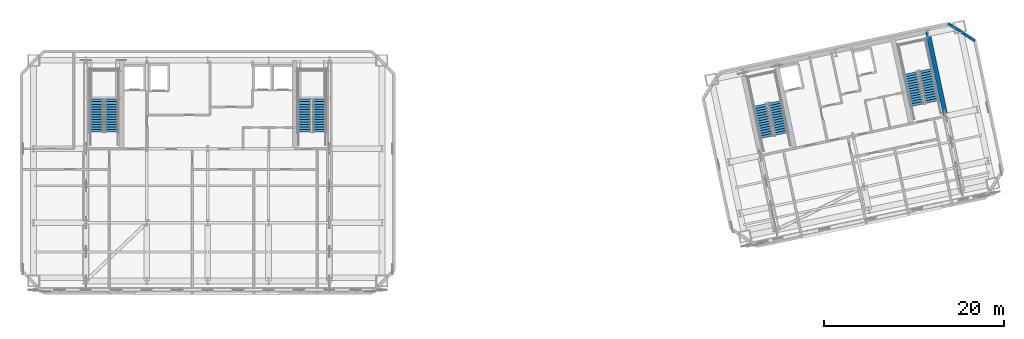
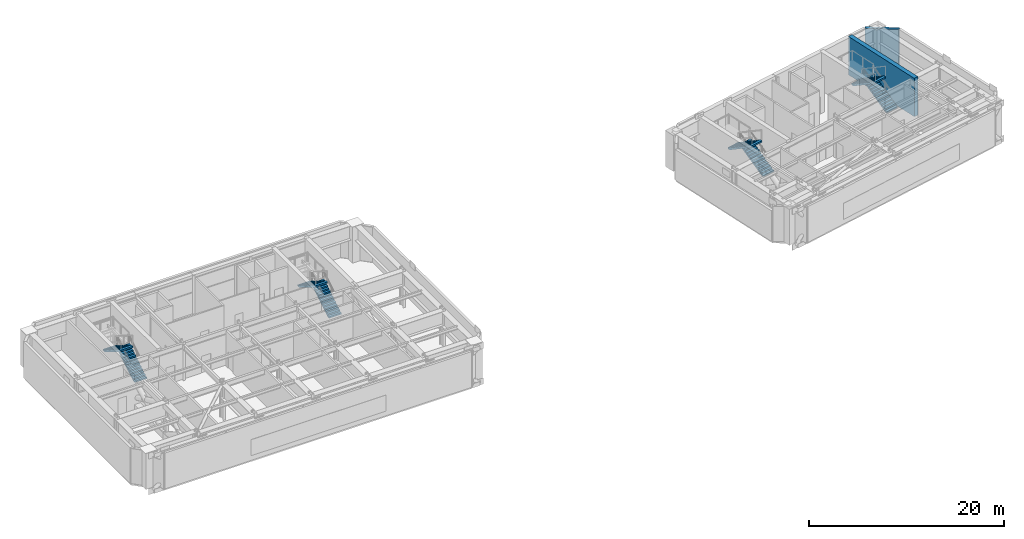
# One storey, part 11 of 15: 8 stair flights, 2 walls, 4 elements without a shape of their own.
"""IFC4 building model written with IfcOpenShell, lengths in metres."""

from ifc_helpers import new_model, si_unit, direction, frame, frame_2d, origin, place, context, subcontext, project, spatial, polyline, rectangle, outline, extrude, material, layer, layer_set, type_object, element, aggregate, save


model = new_model("IFC4")

# Units and contexts
model_context = context("Model", 3, precision=1e-05, world=origin(), true_north=direction((0.0, 1.0)))
body_context = subcontext(model_context, "Body", "Model", "MODEL_VIEW")
ifc_project = project(units=[si_unit("LENGTHUNIT", "METRE"), si_unit("AREAUNIT", "SQUARE_METRE"), si_unit("VOLUMEUNIT", "CUBIC_METRE"), si_unit("PLANEANGLEUNIT", "RADIAN"), si_unit("MASSUNIT", "GRAM", prefix="KILO")], contexts=[model_context])

# Site, building, storey
site_placement = place(None, origin())
site = spatial("IfcSite", under=ifc_project, at=site_placement, CompositionType="ELEMENT")
building_placement = place(site_placement, origin())
building = spatial("IfcBuilding", under=site, at=building_placement, Name="Haevon Station Towers", CompositionType="ELEMENT")
storey_placement = place(building_placement, frame((0.0, 0.0, 192.300048828125)))
storey = spatial("IfcBuildingStorey", under=building, at=storey_placement, Name="L53", CompositionType="ELEMENT", Elevation=192.300048828125)

# Walls
ifc_material_1 = material(Name="Concrete C60/75", Category="concrete")
ifc_layer_1 = layer(ifc_material_1, 0.5)
ifc_layer_set_1 = layer_set([ifc_layer_1], Name="Concrete C60/75")
wall_type_1 = type_object("IfcWallType", Name="WL-CR500", PredefinedType="SHEAR", material=ifc_layer_set_1)
wall_1_placement = place(storey_placement, frame((119.401611328125, 41.2998046875, 0.0), z_axis=(0.0, 0.0, 1.0), x_axis=(-0.207904342798, 0.978149162575, 0.0)))
element("IfcWall", 1, at=wall_1_placement, inside=storey, type_object=wall_type_1, Name="WL-T2CR-L53-E", PredefinedType="SHEAR", context=body_context, shape_type="SweptSolid", body=[
    extrude(rectangle(XDim=10.1201171875, YDim=0.5, at=frame_2d((5.06005859375, 0.0))), origin(), (0.0, 0.0, 1.0), 4.800048828125),
])
ifc_material_2 = material(Name="Precast concrete C45/55", Category="concrete")
ifc_layer_2 = layer(ifc_material_2, 0.300048828125)
ifc_layer_set_2 = layer_set([ifc_layer_2], Name="Precast concrete C45/55")
wall_type_2 = type_object("IfcWallType", Name="WL-EXT-PIER300", PredefinedType="SOLIDWALL", material=ifc_layer_set_2)
wall_2_placement = place(storey_placement, frame((119.561767578125, 52.089111328125, 0.0), z_axis=(0.0, 0.0, 1.0), x_axis=(0.838661251934, -0.544653380146, 0.0)))
element("IfcWall", 2, at=wall_2_placement, inside=storey, type_object=wall_type_2, Name="WL-T2-L53-NEC", PredefinedType="SOLIDWALL", context=body_context, shape_type="SweptSolid", body=[
    extrude(rectangle(XDim=3.535888671875, YDim=0.300048828125, at=frame_2d((1.76806640625, 0.0))), origin(), (0.0, 0.0, 1.0), 4.47998046875),
])

# Stair, stair flights
ifc_material_3 = material(Name="Concrete C40/50", Category="concrete")
stair_type = type_object("IfcStairType", Name="STR-DL1450", PredefinedType="USERDEFINED", material=ifc_material_3)
stair_1_placement = place(storey_placement, origin())
stair_1 = element("IfcStair", 3, at=stair_1_placement, inside=storey, type_object=stair_type, Name="L53 Escape Stair ST1", ObjectType="TWO_RETURN_STAIR", PredefinedType="USERDEFINED")
stair_flight_type = type_object("IfcStairFlightType", Name="STF-ST1450", PredefinedType="STRAIGHT", material=ifc_material_3)
stair_flight_1_placement = place(storey_placement, frame((26.85498046875, 40.050048828125, 0.0), z_axis=(0.0, 0.0, 1.0), x_axis=(0.0, 1.0, 0.0)))
stair_flight_1 = element("IfcStairFlight", 4, at=stair_flight_1_placement, type_object=stair_flight_type, Name="L53 ST1 Flight 1", NumberOfRisers=14, NumberOfTreads=13, PredefinedType="STRAIGHT", RiserHeight=0.171428571, TreadLength=0.28, context=body_context, shape_type="SweptSolid", body=[
    extrude(outline(polyline([(0.0, 0.0), (0.0, 0.17138671875), (0.280029296875, 0.17138671875), (0.280029296875, 0.3427734375), (0.56005859375, 0.3427734375), (0.56005859375, 0.514404296875), (0.840087890625, 0.514404296875), (0.840087890625, 0.685791015625), (1.1201171875, 0.685791015625), (1.1201171875, 0.857177734375), (1.39990234375, 0.857177734375), (1.39990234375, 1.028564453125), (1.679931640625, 1.028564453125), (1.679931640625, 1.199951171875), (1.9599609375, 1.199951171875), (1.9599609375, 1.371337890625), (2.239990234375, 1.371337890625), (2.239990234375, 1.54296875), (2.52001953125, 1.54296875), (2.52001953125, 1.71435546875), (2.800048828125, 1.71435546875), (2.800048828125, 1.8857421875), (3.080078125, 1.8857421875), (3.080078125, 2.05712890625), (3.360107421875, 2.05712890625), (3.360107421875, 2.228515625), (3.639892578125, 2.228515625), (3.639892578125, 2.39990234375), (3.639892578125, 2.041015625), (0.30615234375, 0.0), (0.0, 0.0)])), frame((0.0, 0.72509765625, 0.0), z_axis=(0.0, -1.0, 0.0), x_axis=(1.0, 0.0, 0.0)), (0.0, 0.0, 1.0), 1.449951171875),
])
stair_flight_2_placement = place(storey_placement, frame((25.205078125, 43.68994140625, 2.39990234375), z_axis=(0.0, 0.0, 1.0), x_axis=(0.0, -1.0, 0.0)))
stair_flight_2 = element("IfcStairFlight", 5, at=stair_flight_2_placement, type_object=stair_flight_type, Name="L53 ST1 Flight 2", NumberOfRisers=14, NumberOfTreads=13, PredefinedType="STRAIGHT", RiserHeight=0.171428571, TreadLength=0.28, context=body_context, shape_type="SweptSolid", body=[
    extrude(outline(polyline([(0.0, 0.0), (0.0, 0.17138671875), (0.280029296875, 0.17138671875), (0.280029296875, 0.3427734375), (0.56005859375, 0.3427734375), (0.56005859375, 0.514404296875), (0.840087890625, 0.514404296875), (0.840087890625, 0.685791015625), (1.1201171875, 0.685791015625), (1.1201171875, 0.857177734375), (1.39990234375, 0.857177734375), (1.39990234375, 1.028564453125), (1.679931640625, 1.028564453125), (1.679931640625, 1.199951171875), (1.9599609375, 1.199951171875), (1.9599609375, 1.371337890625), (2.239990234375, 1.371337890625), (2.239990234375, 1.54296875), (2.52001953125, 1.54296875), (2.52001953125, 1.71435546875), (2.800048828125, 1.71435546875), (2.800048828125, 1.8857421875), (3.080078125, 1.8857421875), (3.080078125, 2.05712890625), (3.360107421875, 2.05712890625), (3.360107421875, 2.228515625), (3.639892578125, 2.228515625), (3.639892578125, 2.39990234375), (3.639892578125, 2.041015625), (0.30615234375, 0.0), (0.0, 0.0)])), frame((0.0, 0.72509765625, 0.0), z_axis=(0.0, -1.0, 0.0), x_axis=(1.0, 0.0, 0.0)), (0.0, 0.0, 1.0), 1.449951171875),
])
aggregate(stair_1, [stair_flight_1, stair_flight_2])

stair_2_placement = place(storey_placement, origin())
stair_2 = element("IfcStair", 6, at=stair_2_placement, inside=storey, type_object=stair_type, Name="L53 Escape Stair ST2", ObjectType="TWO_RETURN_STAIR", PredefinedType="USERDEFINED")
stair_flight_3_placement = place(storey_placement, frame((49.89501953125, 40.050048828125, 0.0), z_axis=(0.0, 0.0, 1.0), x_axis=(0.0, 1.0, 0.0)))
stair_flight_3 = element("IfcStairFlight", 7, at=stair_flight_3_placement, type_object=stair_flight_type, Name="L53 ST2 Flight 1", NumberOfRisers=14, NumberOfTreads=13, PredefinedType="STRAIGHT", RiserHeight=0.171428571, TreadLength=0.28, context=body_context, shape_type="SweptSolid", body=[
    extrude(outline(polyline([(0.0, 0.0), (0.0, 0.17138671875), (0.280029296875, 0.17138671875), (0.280029296875, 0.3427734375), (0.56005859375, 0.3427734375), (0.56005859375, 0.514404296875), (0.840087890625, 0.514404296875), (0.840087890625, 0.685791015625), (1.1201171875, 0.685791015625), (1.1201171875, 0.857177734375), (1.39990234375, 0.857177734375), (1.39990234375, 1.028564453125), (1.679931640625, 1.028564453125), (1.679931640625, 1.199951171875), (1.9599609375, 1.199951171875), (1.9599609375, 1.371337890625), (2.239990234375, 1.371337890625), (2.239990234375, 1.54296875), (2.52001953125, 1.54296875), (2.52001953125, 1.71435546875), (2.800048828125, 1.71435546875), (2.800048828125, 1.8857421875), (3.080078125, 1.8857421875), (3.080078125, 2.05712890625), (3.360107421875, 2.05712890625), (3.360107421875, 2.228515625), (3.639892578125, 2.228515625), (3.639892578125, 2.39990234375), (3.639892578125, 2.041015625), (0.30615234375, 0.0), (0.0, 0.0)])), frame((0.0, 0.72509765625, 0.0), z_axis=(0.0, -1.0, 0.0), x_axis=(1.0, 0.0, 0.0)), (0.0, 0.0, 1.0), 1.449951171875),
])
stair_flight_4_placement = place(storey_placement, frame((48.2451171875, 43.68994140625, 2.39990234375), z_axis=(0.0, 0.0, 1.0), x_axis=(0.0, -1.0, 0.0)))
stair_flight_4 = element("IfcStairFlight", 8, at=stair_flight_4_placement, type_object=stair_flight_type, Name="L53 ST2 Flight 2", NumberOfRisers=14, NumberOfTreads=13, PredefinedType="STRAIGHT", RiserHeight=0.171428571, TreadLength=0.28, context=body_context, shape_type="SweptSolid", body=[
    extrude(outline(polyline([(0.0, 0.0), (0.0, 0.17138671875), (0.280029296875, 0.17138671875), (0.280029296875, 0.3427734375), (0.56005859375, 0.3427734375), (0.56005859375, 0.514404296875), (0.840087890625, 0.514404296875), (0.840087890625, 0.685791015625), (1.1201171875, 0.685791015625), (1.1201171875, 0.857177734375), (1.39990234375, 0.857177734375), (1.39990234375, 1.028564453125), (1.679931640625, 1.028564453125), (1.679931640625, 1.199951171875), (1.9599609375, 1.199951171875), (1.9599609375, 1.371337890625), (2.239990234375, 1.371337890625), (2.239990234375, 1.54296875), (2.52001953125, 1.54296875), (2.52001953125, 1.71435546875), (2.800048828125, 1.71435546875), (2.800048828125, 1.8857421875), (3.080078125, 1.8857421875), (3.080078125, 2.05712890625), (3.360107421875, 2.05712890625), (3.360107421875, 2.228515625), (3.639892578125, 2.228515625), (3.639892578125, 2.39990234375), (3.639892578125, 2.041015625), (0.30615234375, 0.0), (0.0, 0.0)])), frame((0.0, 0.72509765625, 0.0), z_axis=(0.0, -1.0, 0.0), x_axis=(1.0, 0.0, 0.0)), (0.0, 0.0, 1.0), 1.449951171875),
])
aggregate(stair_2, [stair_flight_3, stair_flight_4])

stair_3_placement = place(storey_placement, origin())
stair_3 = element("IfcStair", 9, at=stair_3_placement, inside=storey, type_object=stair_type, Name="L53 Escape Stair ST3", ObjectType="TWO_RETURN_STAIR", PredefinedType="USERDEFINED")
stair_flight_5_placement = place(storey_placement, frame((101.1015625, 39.8330078125, 0.0), z_axis=(0.0, 0.0, 1.0), x_axis=(-0.207911690818, 0.978147600734, 0.0)))
stair_flight_5 = element("IfcStairFlight", 10, at=stair_flight_5_placement, type_object=stair_flight_type, Name="L53 ST3 Flight 1", NumberOfRisers=14, NumberOfTreads=13, PredefinedType="STRAIGHT", RiserHeight=0.171428571, TreadLength=0.28, context=body_context, shape_type="SweptSolid", body=[
    extrude(outline(polyline([(0.0, 0.0), (0.0, 0.17138671875), (0.280029296875, 0.17138671875), (0.280029296875, 0.3427734375), (0.56005859375, 0.3427734375), (0.56005859375, 0.514404296875), (0.840087890625, 0.514404296875), (0.840087890625, 0.685791015625), (1.1201171875, 0.685791015625), (1.1201171875, 0.857177734375), (1.39990234375, 0.857177734375), (1.39990234375, 1.028564453125), (1.679931640625, 1.028564453125), (1.679931640625, 1.199951171875), (1.9599609375, 1.199951171875), (1.9599609375, 1.371337890625), (2.239990234375, 1.371337890625), (2.239990234375, 1.54296875), (2.52001953125, 1.54296875), (2.52001953125, 1.71435546875), (2.800048828125, 1.71435546875), (2.800048828125, 1.8857421875), (3.080078125, 1.8857421875), (3.080078125, 2.05712890625), (3.360107421875, 2.05712890625), (3.360107421875, 2.228515625), (3.639892578125, 2.228515625), (3.639892578125, 2.39990234375), (3.639892578125, 2.041015625), (0.30615234375, 0.0), (0.0, 0.0)])), frame((0.0, 0.72509765625, 0.0), z_axis=(0.0, -1.0, 0.0), x_axis=(1.0, 0.0, 0.0)), (0.0, 0.0, 1.0), 1.449951171875),
])
stair_flight_6_placement = place(storey_placement, frame((98.73095703125, 43.050537109375, 2.39990234375), z_axis=(0.0, 0.0, 1.0), x_axis=(0.207911690818, -0.978147600734, 0.0)))
stair_flight_6 = element("IfcStairFlight", 11, at=stair_flight_6_placement, type_object=stair_flight_type, Name="L53 ST3 Flight 2", NumberOfRisers=14, NumberOfTreads=13, PredefinedType="STRAIGHT", RiserHeight=0.171428571, TreadLength=0.28, context=body_context, shape_type="SweptSolid", body=[
    extrude(outline(polyline([(0.0, 0.0), (0.0, 0.17138671875), (0.280029296875, 0.17138671875), (0.280029296875, 0.3427734375), (0.56005859375, 0.3427734375), (0.56005859375, 0.514404296875), (0.840087890625, 0.514404296875), (0.840087890625, 0.685791015625), (1.1201171875, 0.685791015625), (1.1201171875, 0.857177734375), (1.39990234375, 0.857177734375), (1.39990234375, 1.028564453125), (1.679931640625, 1.028564453125), (1.679931640625, 1.199951171875), (1.9599609375, 1.199951171875), (1.9599609375, 1.371337890625), (2.239990234375, 1.371337890625), (2.239990234375, 1.54296875), (2.52001953125, 1.54296875), (2.52001953125, 1.71435546875), (2.800048828125, 1.71435546875), (2.800048828125, 1.8857421875), (3.080078125, 1.8857421875), (3.080078125, 2.05712890625), (3.360107421875, 2.05712890625), (3.360107421875, 2.228515625), (3.639892578125, 2.228515625), (3.639892578125, 2.39990234375), (3.639892578125, 2.041015625), (0.30615234375, 0.0), (0.0, 0.0)])), frame((0.0, 0.72509765625, 0.0), z_axis=(0.0, -1.0, 0.0), x_axis=(1.0, 0.0, 0.0)), (0.0, 0.0, 1.0), 1.449951171875),
])
aggregate(stair_3, [stair_flight_5, stair_flight_6])

stair_4_placement = place(storey_placement, origin())
stair_4 = element("IfcStair", 12, at=stair_4_placement, inside=storey, type_object=stair_type, Name="L53 Escape Stair ST4", ObjectType="TWO_RETURN_STAIR", PredefinedType="USERDEFINED")
stair_flight_7_placement = place(storey_placement, frame((117.788818359375, 43.380126953125, 0.0), z_axis=(0.0, 0.0, 1.0), x_axis=(-0.207911690818, 0.978147600734, 0.0)))
stair_flight_7 = element("IfcStairFlight", 13, at=stair_flight_7_placement, type_object=stair_flight_type, Name="L53 ST4 Flight 1", NumberOfRisers=14, NumberOfTreads=13, PredefinedType="STRAIGHT", RiserHeight=0.171428571, TreadLength=0.28, context=body_context, shape_type="SweptSolid", body=[
    extrude(outline(polyline([(0.0, 0.0), (0.0, 0.17138671875), (0.280029296875, 0.17138671875), (0.280029296875, 0.3427734375), (0.56005859375, 0.3427734375), (0.56005859375, 0.514404296875), (0.840087890625, 0.514404296875), (0.840087890625, 0.685791015625), (1.1201171875, 0.685791015625), (1.1201171875, 0.857177734375), (1.39990234375, 0.857177734375), (1.39990234375, 1.028564453125), (1.679931640625, 1.028564453125), (1.679931640625, 1.199951171875), (1.9599609375, 1.199951171875), (1.9599609375, 1.371337890625), (2.239990234375, 1.371337890625), (2.239990234375, 1.54296875), (2.52001953125, 1.54296875), (2.52001953125, 1.71435546875), (2.800048828125, 1.71435546875), (2.800048828125, 1.8857421875), (3.080078125, 1.8857421875), (3.080078125, 2.05712890625), (3.360107421875, 2.05712890625), (3.360107421875, 2.228515625), (3.639892578125, 2.228515625), (3.639892578125, 2.39990234375), (3.639892578125, 2.041015625), (0.30615234375, 0.0), (0.0, 0.0)])), frame((0.0, 0.72509765625, 0.0), z_axis=(0.0, -1.0, 0.0), x_axis=(1.0, 0.0, 0.0)), (0.0, 0.0, 1.0), 1.449951171875),
])
stair_flight_8_placement = place(storey_placement, frame((115.418212890625, 46.597412109375, 2.39990234375), z_axis=(0.0, 0.0, 1.0), x_axis=(0.207911690818, -0.978147600734, 0.0)))
stair_flight_8 = element("IfcStairFlight", 14, at=stair_flight_8_placement, type_object=stair_flight_type, Name="L53 ST4 Flight 2", NumberOfRisers=14, NumberOfTreads=13, PredefinedType="STRAIGHT", RiserHeight=0.171428571, TreadLength=0.28, context=body_context, shape_type="SweptSolid", body=[
    extrude(outline(polyline([(0.0, 0.0), (0.0, 0.17138671875), (0.280029296875, 0.17138671875), (0.280029296875, 0.3427734375), (0.56005859375, 0.3427734375), (0.56005859375, 0.514404296875), (0.840087890625, 0.514404296875), (0.840087890625, 0.685791015625), (1.1201171875, 0.685791015625), (1.1201171875, 0.857177734375), (1.39990234375, 0.857177734375), (1.39990234375, 1.028564453125), (1.679931640625, 1.028564453125), (1.679931640625, 1.199951171875), (1.9599609375, 1.199951171875), (1.9599609375, 1.371337890625), (2.239990234375, 1.371337890625), (2.239990234375, 1.54296875), (2.52001953125, 1.54296875), (2.52001953125, 1.71435546875), (2.800048828125, 1.71435546875), (2.800048828125, 1.8857421875), (3.080078125, 1.8857421875), (3.080078125, 2.05712890625), (3.360107421875, 2.05712890625), (3.360107421875, 2.228515625), (3.639892578125, 2.228515625), (3.639892578125, 2.39990234375), (3.639892578125, 2.041015625), (0.30615234375, 0.0), (0.0, 0.0)])), frame((0.0, 0.72509765625, 0.0), z_axis=(0.0, -1.0, 0.0), x_axis=(1.0, 0.0, 0.0)), (0.0, 0.0, 1.0), 1.449951171875),
])
aggregate(stair_4, [stair_flight_7, stair_flight_8])

save(model, "model.ifc")
